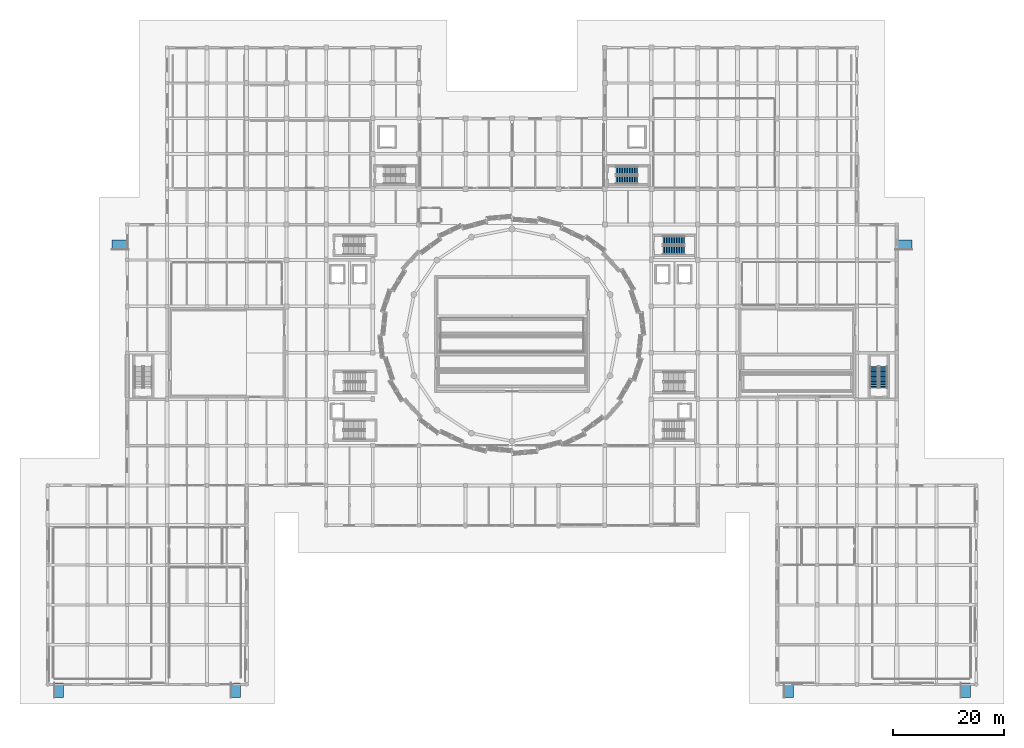
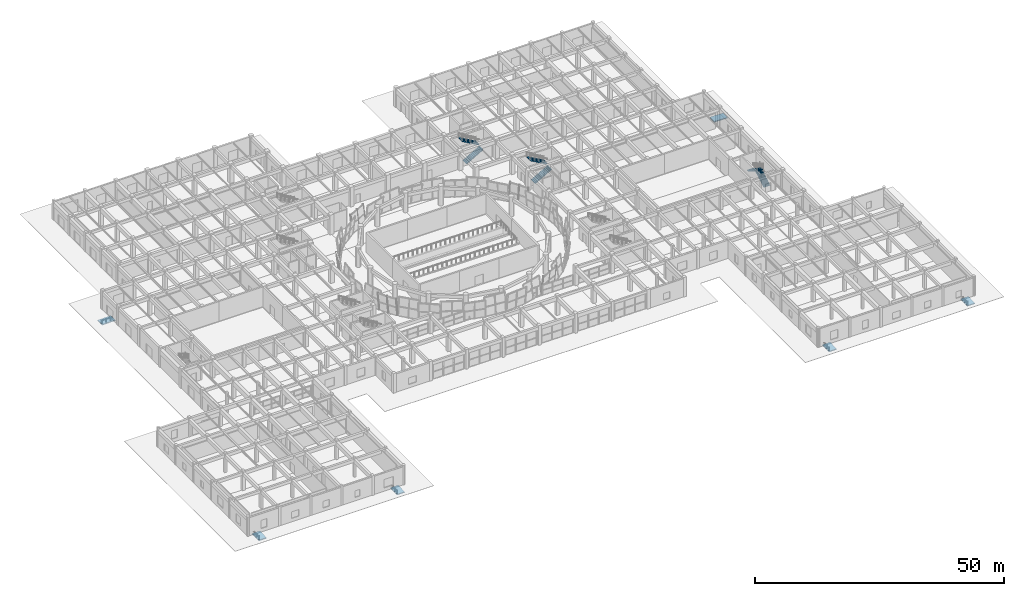
# One storey, part 55 of 72: 6 ramp flights, 6 stair flights, 9 elements without a shape of their own.
"""IFC4 building model written with IfcOpenShell, lengths in metres."""

from ifc_helpers import new_model, si_unit, direction, frame, origin, place, context, subcontext, project, spatial, polyline, outline, extrude, material, layer, layer_set, type_object, element, aggregate, save


model = new_model("IFC4")

# Units and contexts
model_context = context("Model", 3, precision=1e-05, world=origin(), true_north=direction((0.0, 1.0)))
body_context = subcontext(model_context, "Body", "Model", "MODEL_VIEW")
ifc_project = project(units=[si_unit("LENGTHUNIT", "METRE"), si_unit("AREAUNIT", "SQUARE_METRE"), si_unit("VOLUMEUNIT", "CUBIC_METRE"), si_unit("PLANEANGLEUNIT", "RADIAN"), si_unit("MASSUNIT", "GRAM", prefix="KILO")], contexts=[model_context])

# Site, building, storey
site_placement = place(None, origin())
site = spatial("IfcSite", under=ifc_project, at=site_placement, CompositionType="ELEMENT")
building_placement = place(site_placement, origin())
building = spatial("IfcBuilding", under=site, at=building_placement, Name="Korsvaeld Concert Hall", CompositionType="ELEMENT")
storey_placement = place(building_placement, origin())
storey = spatial("IfcBuildingStorey", under=building, at=storey_placement, Name="L00", CompositionType="ELEMENT", Elevation=0.0)

# Stair, stair flights
ifc_material_1 = material(Name="Precast concrete C40/50", Category="concrete")
stair_type_1 = type_object("IfcStairType", Name="STR-HT-145-48", PredefinedType="HALF_TURN_STAIR", material=ifc_material_1)
stair_1_placement = place(storey_placement, origin())
stair_1 = element("IfcStair", 1, at=stair_1_placement, inside=storey, type_object=stair_type_1, Name="L00 ST-K6", PredefinedType="HALF_TURN_STAIR")
stair_flight_type_1 = type_object("IfcStairFlightType", Name="STF-STR-145-48", PredefinedType="STRAIGHT", material=ifc_material_1)
stair_flight_1_placement = place(storey_placement, frame((102.820068359375, 91.294921875, 0.0), z_axis=(0.0, 0.0, 1.0), x_axis=(1.0, 0.0, 0.0)))
stair_flight_1 = element("IfcStairFlight", 2, at=stair_flight_1_placement, type_object=stair_flight_type_1, Name="ST-K6 flight 1", NumberOfRisers=14, NumberOfTreads=13, PredefinedType="STRAIGHT", RiserHeight=0.171428571, TreadLength=0.3, context=body_context, shape_type="SweptSolid", body=[
    extrude(outline(polyline([(0.0, 0.0), (0.0, 0.17138671875), (0.300048828125, 0.17138671875), (0.300048828125, 0.3427734375), (0.60009765625, 0.3427734375), (0.60009765625, 0.514404296875), (0.89990234375, 0.514404296875), (0.89990234375, 0.685791015625), (1.199951171875, 0.685791015625), (1.199951171875, 0.857177734375), (1.5, 0.857177734375), (1.5, 1.028564453125), (1.800048828125, 1.028564453125), (1.800048828125, 1.199951171875), (2.10009765625, 1.199951171875), (2.10009765625, 1.371337890625), (2.39990234375, 1.371337890625), (2.39990234375, 1.54296875), (2.699951171875, 1.54296875), (2.699951171875, 1.71435546875), (3.0, 1.71435546875), (3.0, 1.8857421875), (3.300048828125, 1.8857421875), (3.300048828125, 2.05712890625), (3.60009765625, 2.05712890625), (3.60009765625, 2.228515625), (3.89990234375, 2.228515625), (3.89990234375, 2.39990234375), (3.89990234375, 2.055908203125), (0.30224609375, 0.0), (0.0, 0.0)])), frame((0.0, 0.72509765625, 0.0), z_axis=(0.0, -1.0, 0.0), x_axis=(1.0, 0.0, 0.0)), (0.0, 0.0, 1.0), 1.449951171875),
])
stair_flight_2_placement = place(storey_placement, frame((106.719970703125, 92.945068359375, 2.39990234375), z_axis=(0.0, 0.0, 1.0), x_axis=(-1.0, 0.0, 0.0)))
stair_flight_2 = element("IfcStairFlight", 3, at=stair_flight_2_placement, type_object=stair_flight_type_1, Name="ST-K6 flight 2", NumberOfRisers=14, NumberOfTreads=13, PredefinedType="STRAIGHT", RiserHeight=0.171428571, TreadLength=0.3, context=body_context, shape_type="SweptSolid", body=[
    extrude(outline(polyline([(0.0, 0.0), (0.0, 0.17138671875), (0.300048828125, 0.17138671875), (0.300048828125, 0.3427734375), (0.60009765625, 0.3427734375), (0.60009765625, 0.514404296875), (0.89990234375, 0.514404296875), (0.89990234375, 0.685791015625), (1.199951171875, 0.685791015625), (1.199951171875, 0.857177734375), (1.5, 0.857177734375), (1.5, 1.028564453125), (1.800048828125, 1.028564453125), (1.800048828125, 1.199951171875), (2.10009765625, 1.199951171875), (2.10009765625, 1.371337890625), (2.39990234375, 1.371337890625), (2.39990234375, 1.54296875), (2.699951171875, 1.54296875), (2.699951171875, 1.71435546875), (3.0, 1.71435546875), (3.0, 1.8857421875), (3.300048828125, 1.8857421875), (3.300048828125, 2.05712890625), (3.60009765625, 2.05712890625), (3.60009765625, 2.228515625), (3.89990234375, 2.228515625), (3.89990234375, 2.39990234375), (3.89990234375, 2.055908203125), (0.30224609375, 0.0), (0.0, 0.0)])), frame((0.0, 0.72509765625, 0.0), z_axis=(0.0, -1.0, 0.0), x_axis=(1.0, 0.0, 0.0)), (0.0, 0.0, 1.0), 1.449951171875),
])
aggregate(stair_1, [stair_flight_1, stair_flight_2])

stair_2_placement = place(storey_placement, origin())
stair_2 = element("IfcStair", 4, at=stair_2_placement, inside=storey, type_object=stair_type_1, Name="L00 ST-F4", PredefinedType="HALF_TURN_STAIR")
stair_flight_3_placement = place(storey_placement, frame((151.14501953125, 53.6201171875, 0.0), z_axis=(0.0, 0.0, 1.0), x_axis=(0.0, 1.0, 0.0)))
stair_flight_3 = element("IfcStairFlight", 5, at=stair_flight_3_placement, type_object=stair_flight_type_1, Name="ST-F4 flight 1", NumberOfRisers=14, NumberOfTreads=13, PredefinedType="STRAIGHT", RiserHeight=0.171428571, TreadLength=0.3, context=body_context, shape_type="SweptSolid", body=[
    extrude(outline(polyline([(0.0, 0.0), (0.0, 0.17138671875), (0.300048828125, 0.17138671875), (0.300048828125, 0.3427734375), (0.60009765625, 0.3427734375), (0.60009765625, 0.514404296875), (0.89990234375, 0.514404296875), (0.89990234375, 0.685791015625), (1.199951171875, 0.685791015625), (1.199951171875, 0.857177734375), (1.5, 0.857177734375), (1.5, 1.028564453125), (1.800048828125, 1.028564453125), (1.800048828125, 1.199951171875), (2.10009765625, 1.199951171875), (2.10009765625, 1.371337890625), (2.39990234375, 1.371337890625), (2.39990234375, 1.54296875), (2.699951171875, 1.54296875), (2.699951171875, 1.71435546875), (3.0, 1.71435546875), (3.0, 1.8857421875), (3.300048828125, 1.8857421875), (3.300048828125, 2.05712890625), (3.60009765625, 2.05712890625), (3.60009765625, 2.228515625), (3.89990234375, 2.228515625), (3.89990234375, 2.39990234375), (3.89990234375, 2.055908203125), (0.30224609375, 0.0), (0.0, 0.0)])), frame((0.0, 0.72509765625, 0.0), z_axis=(0.0, -1.0, 0.0), x_axis=(1.0, 0.0, 0.0)), (0.0, 0.0, 1.0), 1.449951171875),
])
stair_flight_4_placement = place(storey_placement, frame((149.4951171875, 57.52001953125, 2.39990234375), z_axis=(0.0, 0.0, 1.0), x_axis=(0.0, -1.0, 0.0)))
stair_flight_4 = element("IfcStairFlight", 6, at=stair_flight_4_placement, type_object=stair_flight_type_1, Name="ST-F4 flight 2", NumberOfRisers=14, NumberOfTreads=13, PredefinedType="STRAIGHT", RiserHeight=0.171428571, TreadLength=0.3, context=body_context, shape_type="SweptSolid", body=[
    extrude(outline(polyline([(0.0, 0.0), (0.0, 0.17138671875), (0.300048828125, 0.17138671875), (0.300048828125, 0.3427734375), (0.60009765625, 0.3427734375), (0.60009765625, 0.514404296875), (0.89990234375, 0.514404296875), (0.89990234375, 0.685791015625), (1.199951171875, 0.685791015625), (1.199951171875, 0.857177734375), (1.5, 0.857177734375), (1.5, 1.028564453125), (1.800048828125, 1.028564453125), (1.800048828125, 1.199951171875), (2.10009765625, 1.199951171875), (2.10009765625, 1.371337890625), (2.39990234375, 1.371337890625), (2.39990234375, 1.54296875), (2.699951171875, 1.54296875), (2.699951171875, 1.71435546875), (3.0, 1.71435546875), (3.0, 1.8857421875), (3.300048828125, 1.8857421875), (3.300048828125, 2.05712890625), (3.60009765625, 2.05712890625), (3.60009765625, 2.228515625), (3.89990234375, 2.228515625), (3.89990234375, 2.39990234375), (3.89990234375, 2.055908203125), (0.30224609375, 0.0), (0.0, 0.0)])), frame((0.0, 0.72509765625, 0.0), z_axis=(0.0, -1.0, 0.0), x_axis=(1.0, 0.0, 0.0)), (0.0, 0.0, 1.0), 1.449951171875),
])
aggregate(stair_2, [stair_flight_3, stair_flight_4])

stair_type_2 = type_object("IfcStairType", Name="STR-HT-155-48", PredefinedType="HALF_TURN_STAIR", material=ifc_material_1)
stair_3_placement = place(storey_placement, origin())
stair_3 = element("IfcStair", 7, at=stair_3_placement, inside=storey, type_object=stair_type_2, Name="L00 ST-K2", PredefinedType="HALF_TURN_STAIR")
stair_flight_type_2 = type_object("IfcStairFlightType", Name="STF-STR-155-48", PredefinedType="STRAIGHT", material=ifc_material_1)
stair_flight_5_placement = place(storey_placement, frame((111.320068359375, 78.544921875, 0.0), z_axis=(0.0, 0.0, 1.0), x_axis=(1.0, 0.0, 0.0)))
stair_flight_5 = element("IfcStairFlight", 8, at=stair_flight_5_placement, type_object=stair_flight_type_2, Name="ST-K2 flight 1", NumberOfRisers=14, NumberOfTreads=13, PredefinedType="STRAIGHT", RiserHeight=0.171428571, TreadLength=0.3, context=body_context, shape_type="SweptSolid", body=[
    extrude(outline(polyline([(0.0, 0.0), (0.0, 0.17138671875), (0.300048828125, 0.17138671875), (0.300048828125, 0.3427734375), (0.60009765625, 0.3427734375), (0.60009765625, 0.514404296875), (0.89990234375, 0.514404296875), (0.89990234375, 0.685791015625), (1.199951171875, 0.685791015625), (1.199951171875, 0.857177734375), (1.5, 0.857177734375), (1.5, 1.028564453125), (1.800048828125, 1.028564453125), (1.800048828125, 1.199951171875), (2.10009765625, 1.199951171875), (2.10009765625, 1.371337890625), (2.39990234375, 1.371337890625), (2.39990234375, 1.54296875), (2.699951171875, 1.54296875), (2.699951171875, 1.71435546875), (3.0, 1.71435546875), (3.0, 1.8857421875), (3.300048828125, 1.8857421875), (3.300048828125, 2.05712890625), (3.60009765625, 2.05712890625), (3.60009765625, 2.228515625), (3.89990234375, 2.228515625), (3.89990234375, 2.39990234375), (3.89990234375, 2.055908203125), (0.30224609375, 0.0), (0.0, 0.0)])), frame((0.0, 0.77490234375, 0.0), z_axis=(0.0, -1.0, 0.0), x_axis=(1.0, 0.0, 0.0)), (0.0, 0.0, 1.0), 1.550048828125),
])
stair_flight_6_placement = place(storey_placement, frame((115.219970703125, 80.294921875, 2.39990234375), z_axis=(0.0, 0.0, 1.0), x_axis=(-1.0, 0.0, 0.0)))
stair_flight_6 = element("IfcStairFlight", 9, at=stair_flight_6_placement, type_object=stair_flight_type_2, Name="ST-K2 flight 2", NumberOfRisers=14, NumberOfTreads=13, PredefinedType="STRAIGHT", RiserHeight=0.171428571, TreadLength=0.3, context=body_context, shape_type="SweptSolid", body=[
    extrude(outline(polyline([(0.0, 0.0), (0.0, 0.17138671875), (0.300048828125, 0.17138671875), (0.300048828125, 0.3427734375), (0.60009765625, 0.3427734375), (0.60009765625, 0.514404296875), (0.89990234375, 0.514404296875), (0.89990234375, 0.685791015625), (1.199951171875, 0.685791015625), (1.199951171875, 0.857177734375), (1.5, 0.857177734375), (1.5, 1.028564453125), (1.800048828125, 1.028564453125), (1.800048828125, 1.199951171875), (2.10009765625, 1.199951171875), (2.10009765625, 1.371337890625), (2.39990234375, 1.371337890625), (2.39990234375, 1.54296875), (2.699951171875, 1.54296875), (2.699951171875, 1.71435546875), (3.0, 1.71435546875), (3.0, 1.8857421875), (3.300048828125, 1.8857421875), (3.300048828125, 2.05712890625), (3.60009765625, 2.05712890625), (3.60009765625, 2.228515625), (3.89990234375, 2.228515625), (3.89990234375, 2.39990234375), (3.89990234375, 2.055908203125), (0.30224609375, 0.0), (0.0, 0.0)])), frame((0.0, 0.77490234375, 0.0), z_axis=(0.0, -1.0, 0.0), x_axis=(1.0, 0.0, 0.0)), (0.0, 0.0, 1.0), 1.550048828125),
])
aggregate(stair_3, [stair_flight_5, stair_flight_6])

# Ramp, ramp flight
ifc_material_2 = material(Name="Coastal dark grey granite on Concrete C35/45", Category="masonry")
ramp_type = type_object("IfcRampType", Name="RMP-PLINTH-180", PredefinedType="STRAIGHT_RUN_RAMP", material=ifc_material_2)
ramp_1_placement = place(storey_placement, origin())
ramp_1 = element("IfcRamp", 10, at=ramp_1_placement, inside=storey, type_object=ramp_type, Name="Accessible square plinth ramp RMP-SW1", PredefinedType="STRAIGHT_RUN_RAMP")
ifc_material_3 = material(Name="Concrete C35/45", Category="concrete")
ifc_layer = layer(ifc_material_3, 0.219970703125)
ifc_layer_set = layer_set([ifc_layer], Name="Concrete C35/45")
ramp_flight_type = type_object("IfcRampFlightType", Name="RMP-FLIGHT-180", PredefinedType="STRAIGHT", material=ifc_layer_set)
ramp_flight_1_placement = place(storey_placement, frame((1.10009765625, -2.39990234375, -0.06005859375), z_axis=(0.0, -0.022658636631, 0.999743260135), x_axis=(1.0, 0.0, 0.0)))
ramp_flight_1 = element("IfcRampFlight", 11, at=ramp_flight_1_placement, type_object=ramp_flight_type, Name="Accessible plinth ramp flight RMP-SW1", PredefinedType="STRAIGHT", context=body_context, shape_type="SweptSolid", body=[
    extrude(outline(polyline([(0.0, 0.0), (1.7998046875, 0.0), (1.7998046875, 2.650582854033235), (0.0, 2.650582854033235), (0.0, 0.0)])), origin(), (0.0, 0.0, -1.0), 0.219970703125),
])
aggregate(ramp_1, [ramp_flight_1])

ramp_2_placement = place(storey_placement, origin())
ramp_2 = element("IfcRamp", 12, at=ramp_2_placement, inside=storey, type_object=ramp_type, Name="Accessible square plinth ramp RMP-SW2", PredefinedType="STRAIGHT_RUN_RAMP")
ramp_flight_2_placement = place(storey_placement, frame((33.10009765625, -2.39990234375, -0.06005859375), z_axis=(0.0, -0.022658636631, 0.999743260135), x_axis=(1.0, 0.0, 0.0)))
ramp_flight_2 = element("IfcRampFlight", 13, at=ramp_flight_2_placement, type_object=ramp_flight_type, Name="Accessible plinth ramp flight RMP-SW2", PredefinedType="STRAIGHT", context=body_context, shape_type="SweptSolid", body=[
    extrude(outline(polyline([(0.0, 0.0), (1.7998046875, 0.0), (1.7998046875, 2.650582854033235), (0.0, 2.650582854033235), (0.0, 0.0)])), origin(), (0.0, 0.0, -1.0), 0.219970703125),
])
aggregate(ramp_2, [ramp_flight_2])

ramp_3_placement = place(storey_placement, origin())
ramp_3 = element("IfcRamp", 14, at=ramp_3_placement, inside=storey, type_object=ramp_type, Name="Accessible square plinth ramp RMP-SE1", PredefinedType="STRAIGHT_RUN_RAMP")
ramp_flight_3_placement = place(storey_placement, frame((133.10009765625, -2.39990234375, -0.06005859375), z_axis=(0.0, -0.022658636631, 0.999743260135), x_axis=(1.0, 0.0, 0.0)))
ramp_flight_3 = element("IfcRampFlight", 15, at=ramp_flight_3_placement, type_object=ramp_flight_type, Name="Accessible plinth ramp flight RMP-SE1", PredefinedType="STRAIGHT", context=body_context, shape_type="SweptSolid", body=[
    extrude(outline(polyline([(0.0, 0.0), (1.7998046875, 0.0), (1.7998046875, 2.650582854033235), (0.0, 2.650582854033235), (0.0, 0.0)])), origin(), (0.0, 0.0, -1.0), 0.219970703125),
])
aggregate(ramp_3, [ramp_flight_3])

ramp_4_placement = place(storey_placement, origin())
ramp_4 = element("IfcRamp", 16, at=ramp_4_placement, inside=storey, type_object=ramp_type, Name="Accessible square plinth ramp RMP-SE2", PredefinedType="STRAIGHT_RUN_RAMP")
ramp_flight_4_placement = place(storey_placement, frame((165.10009765625, -2.39990234375, -0.06005859375), z_axis=(0.0, -0.022658636631, 0.999743260135), x_axis=(1.0, 0.0, 0.0)))
ramp_flight_4 = element("IfcRampFlight", 17, at=ramp_flight_4_placement, type_object=ramp_flight_type, Name="Accessible plinth ramp flight RMP-SE2", PredefinedType="STRAIGHT", context=body_context, shape_type="SweptSolid", body=[
    extrude(outline(polyline([(0.0, 0.0), (1.7998046875, 0.0), (1.7998046875, 2.650582854033235), (0.0, 2.650582854033235), (0.0, 0.0)])), origin(), (0.0, 0.0, -1.0), 0.219970703125),
])
aggregate(ramp_4, [ramp_flight_4])

ramp_5_placement = place(storey_placement, origin())
ramp_5 = element("IfcRamp", 18, at=ramp_5_placement, inside=storey, type_object=ramp_type, Name="Accessible square plinth ramp RMP-W1", PredefinedType="STRAIGHT_RUN_RAMP")
ramp_flight_5_placement = place(storey_placement, frame((11.60009765625, 78.60009765625, -0.06005859375), z_axis=(-0.019688785994, 0.0, 0.999806157065), x_axis=(0.999806157065, 0.0, 0.019688785994)))
ramp_flight_5 = element("IfcRampFlight", 19, at=ramp_flight_5_placement, type_object=ramp_flight_type, Name="Accessible plinth ramp flight RMP-W1", PredefinedType="STRAIGHT", context=body_context, shape_type="SweptSolid", body=[
    extrude(outline(polyline([(0.0, 0.0), (3.050395985209166, 0.0), (3.050395985209166, 1.7998046875), (0.0, 1.7998046875), (0.0, 0.0)])), origin(), (0.0, 0.0, -1.0), 0.219970703125),
])
aggregate(ramp_5, [ramp_flight_5])

ramp_6_placement = place(storey_placement, origin())
ramp_6 = element("IfcRamp", 20, at=ramp_6_placement, inside=storey, type_object=ramp_type, Name="Accessible square plinth ramp RMP-E1", PredefinedType="STRAIGHT_RUN_RAMP")
ramp_flight_6_placement = place(storey_placement, frame((153.35009765625, 78.60009765625, 0.0), z_axis=(0.019688785994, 0.0, 0.999806157065), x_axis=(0.999806157065, 0.0, -0.019688785994)))
ramp_flight_6 = element("IfcRampFlight", 21, at=ramp_flight_6_placement, type_object=ramp_flight_type, Name="Accessible plinth ramp flight RMP-E1", PredefinedType="STRAIGHT", context=body_context, shape_type="SweptSolid", body=[
    extrude(outline(polyline([(0.0, 0.0), (3.050395985209166, 0.0), (3.050395985209166, 1.7998046875), (0.0, 1.7998046875), (0.0, 0.0)])), origin(), (0.0, 0.0, -1.0), 0.219970703125),
])
aggregate(ramp_6, [ramp_flight_6])

save(model, "model.ifc")
